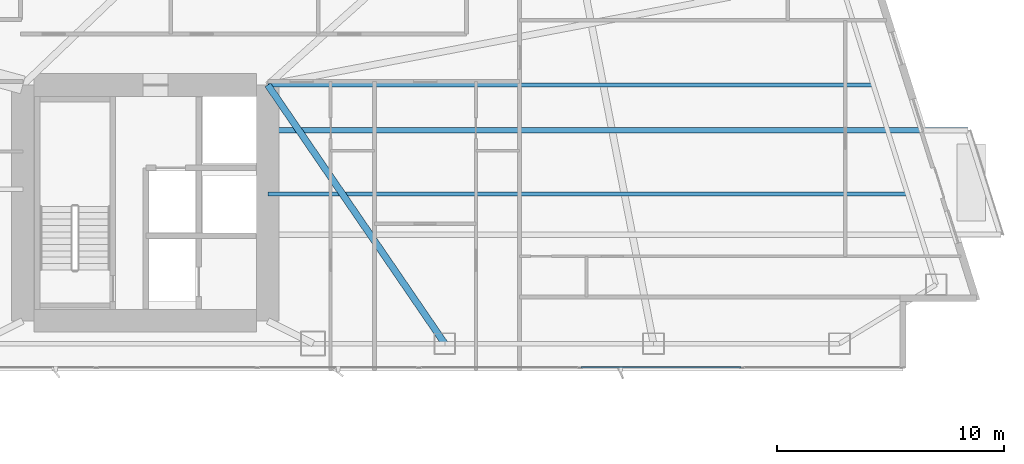
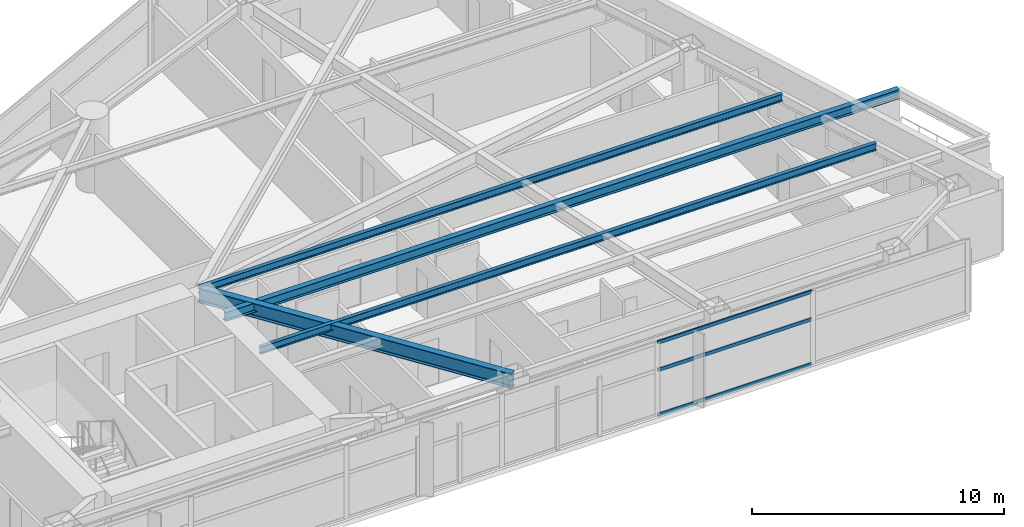
# One storey, part 13 of 30: 4 beams, 3 members, 1 element without a shape of its own.
"""IFC4 building model written with IfcOpenShell, lengths in metres."""

from ifc_helpers import new_model, si_unit, direction, frame, origin, origin_2d, place, context, subcontext, project, spatial, hollow_rectangle, i_section, extrude, material, layer, layer_set, material_profile, profile_set, type_object, element, aggregate, save


model = new_model("IFC4")

# Units and contexts
model_context = context("Model", 3, precision=1e-05, world=origin(), true_north=direction((0.0, 1.0)))
body_context = subcontext(model_context, "Body", "Model", "MODEL_VIEW")
ifc_project = project(units=[si_unit("LENGTHUNIT", "METRE"), si_unit("AREAUNIT", "SQUARE_METRE"), si_unit("VOLUMEUNIT", "CUBIC_METRE"), si_unit("PLANEANGLEUNIT", "RADIAN"), si_unit("MASSUNIT", "GRAM", prefix="KILO")], contexts=[model_context])

# Site, building, storey
site_placement = place(None, origin())
site = spatial("IfcSite", under=ifc_project, at=site_placement, CompositionType="ELEMENT")
building_placement = place(site_placement, origin())
building = spatial("IfcBuilding", under=site, at=building_placement, Name="Calvorn Quay Hotel", CompositionType="ELEMENT")
storey_placement = place(building_placement, frame((0.0, 0.0, 73.60009765625)))
storey = spatial("IfcBuildingStorey", under=building, at=storey_placement, Name="L17", CompositionType="ELEMENT", Elevation=73.60009765625)

# Beams
ifc_material_1 = material(Name="Steel Q355B", Category="steel")
ifc_material_profile_1 = material_profile(ifc_material_1, i_section(OverallWidth=0.25, OverallDepth=0.449951171875, WebThickness=0.011962890625, FlangeThickness=0.01611328125, FilletRadius=0.01611328125, at=origin_2d()), Name="HN450x250x12x16")
ifc_profile_set_1 = profile_set([ifc_material_profile_1], Name="Steel Q355B")
beam_type_1 = type_object("IfcBeamType", Name="BM-CANT-BALC", PredefinedType="BEAM", material=ifc_profile_set_1)
beam_1_placement = place(storey_placement, frame((32.39990234375, 13.0, 3.31494140625), z_axis=(1.0, 0.0, 0.0), x_axis=(0.0, 1.0, 0.0)))
element("IfcBeam", 1, at=beam_1_placement, inside=storey, type_object=beam_type_1, Name="Cantilever Balcony Beam BCB-L18-1B", PredefinedType="BEAM", context=body_context, shape_type="SweptSolid", body=[
    extrude(i_section(OverallWidth=0.25, OverallDepth=0.449951171875, WebThickness=0.011962890625, FlangeThickness=0.01611328125, FilletRadius=0.01611328125, at=origin_2d()), origin(), (0.0, 0.0, 1.0), 30.858154296875),
])
ifc_material_2 = material(Name="Steel Q390GJC", Category="steel")
ifc_material_profile_2 = material_profile(ifc_material_2, i_section(OverallWidth=0.300048828125, OverallDepth=0.699951171875, WebThickness=0.012939453125, FlangeThickness=0.02392578125, FilletRadius=0.02392578125, at=origin_2d()), Name="HN700x300x13x24")
ifc_profile_set_2 = profile_set([ifc_material_profile_2], Name="Steel Q390GJC")
beam_type_2 = type_object("IfcBeamType", Name="BM-GIRD-MAIN", PredefinedType="BEAM", material=ifc_profile_set_2)
beam_2_placement = place(storey_placement, frame((40.199951171875, 3.60009765625, 3.18994140625), z_axis=(-0.564689618177, 0.825303359452, 0.0), x_axis=(-0.825303359452, -0.564689618177, 0.0)))
element("IfcBeam", 2, at=beam_2_placement, inside=storey, type_object=beam_type_2, Name="Beam BG-L17-E6", PredefinedType="BEAM", context=body_context, shape_type="SweptSolid", body=[
    extrude(i_section(OverallWidth=0.300048828125, OverallDepth=0.699951171875, WebThickness=0.012939453125, FlangeThickness=0.02392578125, FilletRadius=0.02392578125, at=origin_2d()), origin(), (0.0, 0.0, 1.0), 13.81298828125),
])
ifc_material_3 = material(Name="Steel Q355B", Category="steel")
ifc_material_profile_3 = material_profile(ifc_material_3, i_section(OverallWidth=0.175048828125, OverallDepth=0.35009765625, WebThickness=0.007080078125, FlangeThickness=0.010986328125, FilletRadius=0.013916015625, at=origin_2d()), Name="HN350x175x7x11")
ifc_profile_set_3 = profile_set([ifc_material_profile_3], Name="Steel Q355B")
beam_type_3 = type_object("IfcBeamType", Name="BM-JOIST-SEC", PredefinedType="JOIST", material=ifc_profile_set_3)
beam_3_placement = place(storey_placement, frame((32.39990234375, 10.199951171875, 3.364990234375), z_axis=(1.0, 0.0, 0.0), x_axis=(0.0, 1.0, 0.0)))
element("IfcBeam", 3, at=beam_3_placement, inside=storey, type_object=beam_type_3, Name="Beam BJ-L17-E1", PredefinedType="JOIST", context=body_context, shape_type="SweptSolid", body=[
    extrude(i_section(OverallWidth=0.175048828125, OverallDepth=0.35009765625, WebThickness=0.007080078125, FlangeThickness=0.010986328125, FilletRadius=0.013916015625, at=origin_2d()), origin(), (0.0, 0.0, 1.0), 28.201171875),
])
beam_4_placement = place(storey_placement, frame((32.39990234375, 15.0, 3.364990234375), z_axis=(1.0, 0.0, 0.0), x_axis=(0.0, 1.0, 0.0)))
element("IfcBeam", 4, at=beam_4_placement, inside=storey, type_object=beam_type_3, Name="Beam BJ-L17-E2", PredefinedType="JOIST", context=body_context, shape_type="SweptSolid", body=[
    extrude(i_section(OverallWidth=0.175048828125, OverallDepth=0.35009765625, WebThickness=0.007080078125, FlangeThickness=0.010986328125, FilletRadius=0.013916015625, at=origin_2d()), origin(), (0.0, 0.0, 1.0), 26.68798828125),
])

# Curtain wall, members
ifc_material_4 = material(Name="Pale Anodised Aluminium and Low-E Glass", Category="aluminium")
ifc_layer = layer(ifc_material_4, 0.219970703125)
ifc_layer_set = layer_set([ifc_layer], Name="CW-SYS-Z1")
curtain_wall_type = type_object("IfcCurtainWallType", Name="CW-SYS-Z1", PredefinedType="NOTDEFINED", material=ifc_layer_set)
curtain_wall_placement = place(storey_placement, origin())
curtain_wall = element("IfcCurtainWall", 5, at=curtain_wall_placement, inside=storey, type_object=curtain_wall_type, Name="Tower South Waterfront Curtain Wall (L17)", PredefinedType="NOTDEFINED")
ifc_material_5 = material(Name="Pale Anodised Aluminium 6063-T6", Category="aluminium")
ifc_material_profile_4 = material_profile(ifc_material_5, hollow_rectangle(XDim=0.06494140625, YDim=0.1650390625, WallThickness=0.00341796875, at=origin_2d()), Name="ALU-T165x65x3.5")
ifc_profile_set_4 = profile_set([ifc_material_profile_4], Name="Pale Anodised Aluminium 6063-T6")
member_type = type_object("IfcMemberType", Name="CW-SYS-Z1-TRN", PredefinedType="USERDEFINED", material=ifc_profile_set_4)
member_1_placement = place(storey_placement, frame((46.201416015625, 2.550048828125, 0.02978515625), z_axis=(1.0, 0.0, 0.0), x_axis=(0.0, 1.0, 0.0)))
member_1 = element("IfcMember", 6, at=member_1_placement, type_object=member_type, Name="CW-L17-S transom 6.1", ObjectType="TRANSOM", PredefinedType="USERDEFINED", context=body_context, shape_type="SweptSolid", body=[
    extrude(hollow_rectangle(XDim=0.06494140625, YDim=0.1650390625, WallThickness=0.00341796875, at=origin_2d()), origin(), (0.0, 0.0, 1.0), 7.05419921875),
])
member_2_placement = place(storey_placement, frame((46.201416015625, 2.550048828125, 2.199951171875), z_axis=(1.0, 0.0, 0.0), x_axis=(0.0, 1.0, 0.0)))
member_2 = element("IfcMember", 7, at=member_2_placement, type_object=member_type, Name="CW-L17-S transom 6.2", ObjectType="TRANSOM", PredefinedType="USERDEFINED", context=body_context, shape_type="SweptSolid", body=[
    extrude(hollow_rectangle(XDim=0.06494140625, YDim=0.1650390625, WallThickness=0.00341796875, at=origin_2d()), origin(), (0.0, 0.0, 1.0), 7.05419921875),
])
member_3_placement = place(storey_placement, frame((46.201416015625, 2.550048828125, 3.52978515625), z_axis=(1.0, 0.0, 0.0), x_axis=(0.0, 1.0, 0.0)))
member_3 = element("IfcMember", 8, at=member_3_placement, type_object=member_type, Name="CW-L17-S transom 6.3", ObjectType="TRANSOM", PredefinedType="USERDEFINED", context=body_context, shape_type="SweptSolid", body=[
    extrude(hollow_rectangle(XDim=0.06494140625, YDim=0.1650390625, WallThickness=0.00341796875, at=origin_2d()), origin(), (0.0, 0.0, 1.0), 7.05419921875),
])
aggregate(curtain_wall, [member_1, member_2, member_3])

save(model, "model.ifc")
